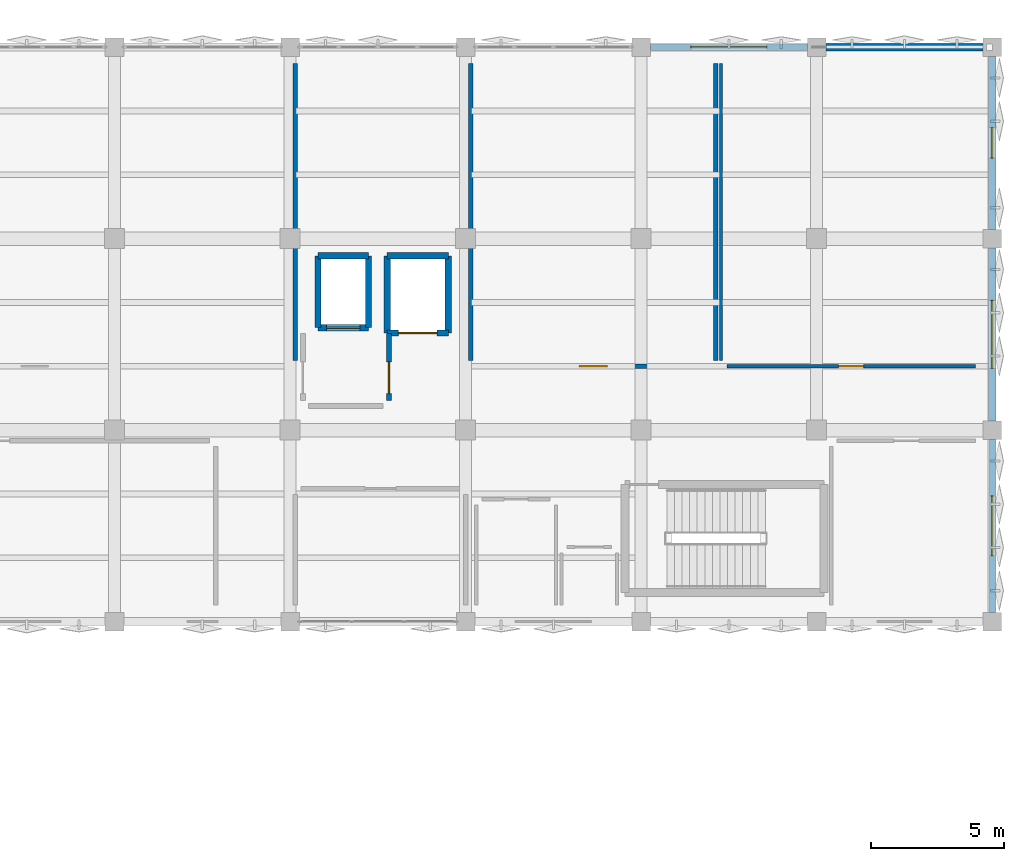
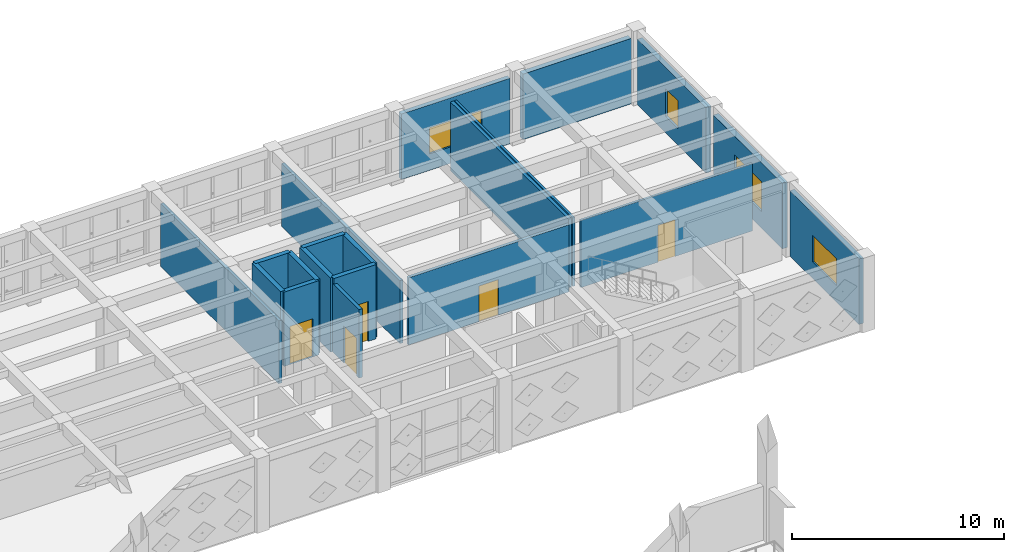
# One storey, part 71 of 80: 20 walls, 5 doors, 4 windows, 9 openings.
"""IFC4 building model written with IfcOpenShell, lengths in metres."""

from ifc_helpers import new_model, si_unit, direction, frame, frame_2d, origin, place, context, subcontext, project, spatial, rectangle, extrude, material, layer, layer_set, type_object, element, fill, save


model = new_model("IFC4")

# Units and contexts
model_context = context("Model", 3, precision=1e-05, world=origin(), true_north=direction((0.0, 1.0)))
body_context = subcontext(model_context, "Body", "Model", "MODEL_VIEW")
ifc_project = project(units=[si_unit("LENGTHUNIT", "METRE"), si_unit("AREAUNIT", "SQUARE_METRE"), si_unit("VOLUMEUNIT", "CUBIC_METRE"), si_unit("PLANEANGLEUNIT", "RADIAN"), si_unit("MASSUNIT", "GRAM", prefix="KILO")], contexts=[model_context])

# Site, building, storey
site_placement = place(None, origin())
site = spatial("IfcSite", under=ifc_project, at=site_placement, CompositionType="ELEMENT")
building_placement = place(site_placement, origin())
building = spatial("IfcBuilding", under=site, at=building_placement, Name="Kharisveld Research Institute", CompositionType="ELEMENT")
storey_placement = place(building_placement, frame((0.0, 0.0, 5.10009765625)))
storey = spatial("IfcBuildingStorey", under=building, at=storey_placement, Name="L01", CompositionType="ELEMENT", Elevation=5.10009765625)

# Walls
ifc_material_1 = material(Name="Concrete C40/50", Category="concrete")
ifc_layer_1 = layer(ifc_material_1, 0.239990234375)
ifc_layer_set_1 = layer_set([ifc_layer_1], Name="WL_CORE_240")
wall_type_1 = type_object("IfcWallType", Name="WL_CORE_240", PredefinedType="SHEAR", material=ifc_layer_set_1)
wall_1_placement = place(storey_placement, frame((135.449951171875, 50.25, 0.0), z_axis=(0.0, 0.0, 1.0), x_axis=(0.0, 1.0, 0.0)))
element("IfcWall", 1, at=wall_1_placement, inside=storey, type_object=wall_type_1, Name="WL:LFT:FFL-02:L01:W", PredefinedType="SHEAR", context=body_context, shape_type="SweptSolid", body=[
    extrude(rectangle(XDim=2.699951171875, YDim=0.239990234375, at=frame_2d((1.35009765625, 0.0))), origin(), (0.0, 0.0, 1.0), 4.27978515625),
])
wall_2_placement = place(storey_placement, frame((135.449951171875, 52.949951171875, 0.0), z_axis=(0.0, 0.0, 1.0), x_axis=(1.0, 0.0, 0.0)))
element("IfcWall", 2, at=wall_2_placement, inside=storey, type_object=wall_type_1, Name="WL:LFT:FFL-02:L01:N", PredefinedType="SHEAR", context=body_context, shape_type="SweptSolid", body=[
    extrude(rectangle(XDim=1.900146484375, YDim=0.239990234375, at=frame_2d((0.9501953125, 0.0))), origin(), (0.0, 0.0, 1.0), 4.27978515625),
])
wall_3_placement = place(storey_placement, frame((137.35009765625, 52.949951171875, 0.0), z_axis=(0.0, 0.0, 1.0), x_axis=(0.0, -1.0, 0.0)))
element("IfcWall", 3, at=wall_3_placement, inside=storey, type_object=wall_type_1, Name="WL:LFT:FFL-02:L01:E", PredefinedType="SHEAR", context=body_context, shape_type="SweptSolid", body=[
    extrude(rectangle(XDim=2.699951171875, YDim=0.239990234375, at=frame_2d((1.35009765625, 0.0))), origin(), (0.0, 0.0, 1.0), 4.27978515625),
])

# Wall, opening, door
wall_4_placement = place(storey_placement, frame((137.35009765625, 50.25, 0.0), z_axis=(0.0, 0.0, 1.0), x_axis=(-1.0, 0.0, 0.0)))
wall_4 = element("IfcWall", 4, at=wall_4_placement, inside=storey, type_object=wall_type_1, Name="WL:LFT:FFL-02:L01:S", PredefinedType="SHEAR", context=body_context, shape_type="SweptSolid", body=[
    extrude(rectangle(XDim=1.900146484375, YDim=0.239990234375, at=frame_2d((0.9501953125, 0.0))), origin(), (0.0, 0.0, 1.0), 4.27978515625),
])
opening_1_placement = place(wall_4_placement, frame((0.324951171875, 0.0, 0.0)))
opening_1 = element("IfcOpeningElement", 5, at=opening_1_placement, cuts=wall_4, Name="Opening LD-02", PredefinedType="OPENING", context=body_context, shape_type="SweptSolid", body=[
    extrude(rectangle(XDim=1.25, YDim=2.199951171875, at=frame_2d((0.625, 1.10009765625))), frame((0.0, 0.1201171875, 0.0), z_axis=(0.0, -1.0, 0.0), x_axis=(1.0, 0.0, 0.0)), (0.0, 0.0, 1.0), 0.239990234375),
])
ifc_material_2 = material(Name="Flush Painted Hardwood and Anodised Aluminium", Category="wood")
door_type_1 = type_object("IfcDoorType", Name="DR_LFT_125", OperationType="SLIDING_TO_RIGHT", PredefinedType="DOOR", material=ifc_material_2)
door_1_placement = place(opening_1_placement, origin())
door_1 = element("IfcDoor", 6, at=door_1_placement, inside=storey, type_object=door_type_1, Name="FFL-02 Lift Landing Door L01", OperationType="SLIDING_TO_RIGHT", OverallHeight=2.199951171875, OverallWidth=1.25, PredefinedType="DOOR", context=body_context, shape_type="SweptSolid", body=[
    extrude(rectangle(XDim=1.25, YDim=2.199951171875, at=frame_2d((0.625, 1.10009765625))), frame((0.0, 0.02490234375, 0.0), z_axis=(0.0, -1.0, 0.0), x_axis=(1.0, 0.0, 0.0)), (0.0, 0.0, 1.0), 0.050048828125),
])
fill(opening_1, door_1)

# Walls
wall_5_placement = place(storey_placement, frame((138.050048828125, 50.050048828125, 0.0), z_axis=(0.0, 0.0, 1.0), x_axis=(0.0, 1.0, 0.0)))
element("IfcWall", 7, at=wall_5_placement, inside=storey, type_object=wall_type_1, Name="WL:LFT:GL-01:L01:W", PredefinedType="SHEAR", context=body_context, shape_type="SweptSolid", body=[
    extrude(rectangle(XDim=2.89990234375, YDim=0.239990234375, at=frame_2d((1.449951171875, 0.0))), origin(), (0.0, 0.0, 1.0), 4.27978515625),
])
wall_6_placement = place(storey_placement, frame((138.050048828125, 52.949951171875, 0.0), z_axis=(0.0, 0.0, 1.0), x_axis=(1.0, 0.0, 0.0)))
element("IfcWall", 8, at=wall_6_placement, inside=storey, type_object=wall_type_1, Name="WL:LFT:GL-01:L01:N", PredefinedType="SHEAR", context=body_context, shape_type="SweptSolid", body=[
    extrude(rectangle(XDim=2.300048828125, YDim=0.239990234375, at=frame_2d((1.14990234375, 0.0))), origin(), (0.0, 0.0, 1.0), 4.27978515625),
])
wall_7_placement = place(storey_placement, frame((140.35009765625, 52.949951171875, 0.0), z_axis=(0.0, 0.0, 1.0), x_axis=(0.0, -1.0, 0.0)))
element("IfcWall", 9, at=wall_7_placement, inside=storey, type_object=wall_type_1, Name="WL:LFT:GL-01:L01:E", PredefinedType="SHEAR", context=body_context, shape_type="SweptSolid", body=[
    extrude(rectangle(XDim=2.89990234375, YDim=0.239990234375, at=frame_2d((1.449951171875, 0.0))), origin(), (0.0, 0.0, 1.0), 4.27978515625),
])

# Wall, opening, door
wall_8_placement = place(storey_placement, frame((140.35009765625, 50.050048828125, 0.0), z_axis=(0.0, 0.0, 1.0), x_axis=(-1.0, 0.0, 0.0)))
wall_8 = element("IfcWall", 10, at=wall_8_placement, inside=storey, type_object=wall_type_1, Name="WL:LFT:GL-01:L01:S", PredefinedType="SHEAR", context=body_context, shape_type="SweptSolid", body=[
    extrude(rectangle(XDim=2.300048828125, YDim=0.239990234375, at=frame_2d((1.14990234375, 0.0))), origin(), (0.0, 0.0, 1.0), 4.27978515625),
])
opening_2_placement = place(wall_8_placement, frame((0.425048828125, 0.0, 0.0)))
opening_2 = element("IfcOpeningElement", 11, at=opening_2_placement, cuts=wall_8, Name="Opening LD-03", PredefinedType="OPENING", context=body_context, shape_type="SweptSolid", body=[
    extrude(rectangle(XDim=1.449951171875, YDim=2.300048828125, at=frame_2d((0.72509765625, 1.14990234375))), frame((0.0, 0.1201171875, 0.0), z_axis=(0.0, -1.0, 0.0), x_axis=(1.0, 0.0, 0.0)), (0.0, 0.0, 1.0), 0.239990234375),
])
ifc_material_3 = material(Name="Flush Painted Hardwood and Anodised Aluminium", Category="wood")
door_type_2 = type_object("IfcDoorType", Name="DR_LFT_145", OperationType="DOUBLE_DOOR_SLIDING", PredefinedType="DOOR", material=ifc_material_3)
door_2_placement = place(opening_2_placement, origin())
door_2 = element("IfcDoor", 12, at=door_2_placement, inside=storey, type_object=door_type_2, Name="GL-01 Lift Landing Door L01", OperationType="DOUBLE_DOOR_SLIDING", OverallHeight=2.300048828125, OverallWidth=1.449951171875, PredefinedType="DOOR", context=body_context, shape_type="SweptSolid", body=[
    extrude(rectangle(XDim=1.449951171875, YDim=2.300048828125, at=frame_2d((0.72509765625, 1.14990234375))), frame((0.0, 0.02490234375, 0.0), z_axis=(0.0, -1.0, 0.0), x_axis=(1.0, 0.0, 0.0)), (0.0, 0.0, 1.0), 0.050048828125),
])
fill(opening_2, door_2)

# Wall, opening, window
ifc_material_4 = material(Name="Lightweight Acoustic Spandrel", Category="mineral")
ifc_layer_2 = layer(ifc_material_4, 0.2451171875)
ifc_layer_set_2 = layer_set([ifc_layer_2], Name="WL_EXT_245")
wall_type_2 = type_object("IfcWallType", Name="WL_EXT_245", PredefinedType="STANDARD", material=ifc_layer_set_2)
wall_9_placement = place(storey_placement, frame((147.945068359375, 60.800048828125, 0.0), z_axis=(0.0, 0.0, 1.0), x_axis=(1.0, 0.0, 0.0)))
wall_9 = element("IfcWall", 13, at=wall_9_placement, inside=storey, type_object=wall_type_2, Name="WL:V2:L01:N5", PredefinedType="STANDARD", context=body_context, shape_type="SweptSolid", body=[
    extrude(rectangle(XDim=5.909912109375, YDim=0.2451171875, at=frame_2d((2.955078125, 0.0))), origin(), (0.0, 0.0, 1.0), 3.77490234375),
])
opening_3_placement = place(wall_9_placement, frame((1.530029296875, 0.0, 0.949951171875)))
opening_3 = element("IfcOpeningElement", 14, at=opening_3_placement, cuts=wall_9, Name="Opening WN-18", PredefinedType="OPENING", context=body_context, shape_type="SweptSolid", body=[
    extrude(rectangle(XDim=2.85009765625, YDim=1.5, at=frame_2d((1.425048828125, 0.75))), frame((0.0, 0.12255859375, 0.0), z_axis=(0.0, -1.0, 0.0), x_axis=(1.0, 0.0, 0.0)), (0.0, 0.0, 1.0), 0.2451171875),
])
ifc_material_5 = material(Name="Low-E Double Glazing", Category="glass")
window_type_1 = type_object("IfcWindowType", Name="WN_18", PartitioningType="TRIPLE_PANEL_VERTICAL", PredefinedType="WINDOW", material=ifc_material_5)
window_1_placement = place(opening_3_placement, origin())
window_1 = element("IfcWindow", 15, at=window_1_placement, inside=storey, type_object=window_type_1, Name="WN:V2:L01:N5", OverallHeight=1.5, OverallWidth=2.85009765625, PartitioningType="SINGLE_PANEL", PredefinedType="WINDOW", context=body_context, shape_type="SweptSolid", body=[
    extrude(rectangle(XDim=2.85009765625, YDim=1.5, at=frame_2d((1.425048828125, 0.75))), frame((0.0, 0.030029296875, 0.0), z_axis=(0.0, -1.0, 0.0), x_axis=(1.0, 0.0, 0.0)), (0.0, 0.0, 1.0), 0.06005859375),
])
fill(opening_3, window_1)

wall_10_placement = place(storey_placement, frame((160.800048828125, 46.054931640625, 0.0), z_axis=(0.0, 0.0, 1.0), x_axis=(0.0, -1.0, 0.0)))
wall_10 = element("IfcWall", 16, at=wall_10_placement, inside=storey, type_object=wall_type_2, Name="WL:V2:L01:E1", PredefinedType="STANDARD", context=body_context, shape_type="SweptSolid", body=[
    extrude(rectangle(XDim=6.510009765625, YDim=0.2451171875, at=frame_2d((3.2548828125, 0.0))), origin(), (0.0, 0.0, 1.0), 3.77490234375),
])
opening_4_placement = place(wall_10_placement, frame((2.1298828125, 0.0, 0.949951171875)))
opening_4 = element("IfcOpeningElement", 17, at=opening_4_placement, cuts=wall_10, Name="Opening WN-14", PredefinedType="OPENING", context=body_context, shape_type="SweptSolid", body=[
    extrude(rectangle(XDim=2.25, YDim=1.550048828125, at=frame_2d((1.125, 0.77490234375))), frame((0.0, 0.12255859375, 0.0), z_axis=(0.0, -1.0, 0.0), x_axis=(1.0, 0.0, 0.0)), (0.0, 0.0, 1.0), 0.2451171875),
])
ifc_material_6 = material(Name="Low-E Double Glazing", Category="glass")
window_type_2 = type_object("IfcWindowType", Name="WN_14", PartitioningType="DOUBLE_PANEL_VERTICAL", PredefinedType="WINDOW", material=ifc_material_6)
window_2_placement = place(opening_4_placement, origin())
window_2 = element("IfcWindow", 18, at=window_2_placement, inside=storey, type_object=window_type_2, Name="WN:V2:L01:E1", OverallHeight=1.550048828125, OverallWidth=2.25, PartitioningType="SINGLE_PANEL", PredefinedType="WINDOW", context=body_context, shape_type="SweptSolid", body=[
    extrude(rectangle(XDim=2.25, YDim=1.550048828125, at=frame_2d((1.125, 0.77490234375))), frame((0.0, 0.030029296875, 0.0), z_axis=(0.0, -1.0, 0.0), x_axis=(1.0, 0.0, 0.0)), (0.0, 0.0, 1.0), 0.06005859375),
])
fill(opening_4, window_2)

ifc_material_7 = material(Name="Precast Concrete C40/50 Thermal Wall", Category="concrete")
ifc_layer_3 = layer(ifc_material_7, 0.27490234375)
ifc_layer_set_3 = layer_set([ifc_layer_3], Name="WL_EXT_275")
wall_type_3 = type_object("IfcWallType", Name="WL_EXT_275", PredefinedType="STANDARD", material=ifc_layer_set_3)
wall_11_placement = place(storey_placement, frame((160.800048828125, 60.455078125, 0.0), z_axis=(0.0, 0.0, 1.0), x_axis=(0.0, -1.0, 0.0)))
wall_11 = element("IfcWall", 19, at=wall_11_placement, inside=storey, type_object=wall_type_3, Name="WL:V2:L01:E3", PredefinedType="STANDARD", context=body_context, shape_type="SweptSolid", body=[
    extrude(rectangle(XDim=6.510009765625, YDim=0.27490234375, at=frame_2d((3.2548828125, 0.0))), origin(), (0.0, 0.0, 1.0), 3.77490234375),
])
opening_5_placement = place(wall_11_placement, frame((2.679931640625, 0.0, 0.949951171875)))
opening_5 = element("IfcOpeningElement", 20, at=opening_5_placement, cuts=wall_11, Name="Opening WN-16", PredefinedType="OPENING", context=body_context, shape_type="SweptSolid", body=[
    extrude(rectangle(XDim=1.14990234375, YDim=1.60009765625, at=frame_2d((0.574951171875, 0.800048828125))), frame((0.0, 0.137451171875, 0.0), z_axis=(0.0, -1.0, 0.0), x_axis=(1.0, 0.0, 0.0)), (0.0, 0.0, 1.0), 0.27490234375),
])
ifc_material_8 = material(Name="Low-E Double Glazing", Category="glass")
window_type_3 = type_object("IfcWindowType", Name="WN_16", PartitioningType="SINGLE_PANEL", PredefinedType="WINDOW", material=ifc_material_8)
window_3_placement = place(opening_5_placement, origin())
window_3 = element("IfcWindow", 21, at=window_3_placement, inside=storey, type_object=window_type_3, Name="WN:V2:L01:E3", OverallHeight=1.60009765625, OverallWidth=1.14990234375, PartitioningType="SINGLE_PANEL", PredefinedType="WINDOW", context=body_context, shape_type="SweptSolid", body=[
    extrude(rectangle(XDim=1.14990234375, YDim=1.60009765625, at=frame_2d((0.574951171875, 0.800048828125))), frame((0.0, 0.030029296875, 0.0), z_axis=(0.0, -1.0, 0.0), x_axis=(1.0, 0.0, 0.0)), (0.0, 0.0, 1.0), 0.06005859375),
])
fill(opening_5, window_3)

# Wall
ifc_material_9 = material(Name="Precast Concrete C40/50 Thermal Wall", Category="concrete")
ifc_layer_4 = layer(ifc_material_9, 0.2900390625)
ifc_layer_set_4 = layer_set([ifc_layer_4], Name="WL_EXT_290")
wall_type_4 = type_object("IfcWallType", Name="WL_EXT_290", PredefinedType="STANDARD", material=ifc_layer_set_4)
wall_12_placement = place(storey_placement, frame((154.544921875, 60.800048828125, 0.0), z_axis=(0.0, 0.0, 1.0), x_axis=(1.0, 0.0, 0.0)))
element("IfcWall", 22, at=wall_12_placement, inside=storey, type_object=wall_type_4, Name="WL:V2:L01:N6", PredefinedType="STANDARD", context=body_context, shape_type="SweptSolid", body=[
    extrude(rectangle(XDim=5.91015625, YDim=0.2900390625, at=frame_2d((2.955078125, 0.0))), origin(), (0.0, 0.0, 1.0), 3.77490234375),
])

# Wall, opening, window
wall_13_placement = place(storey_placement, frame((160.800048828125, 53.2548828125, 0.0), z_axis=(0.0, 0.0, 1.0), x_axis=(0.0, -1.0, 0.0)))
wall_13 = element("IfcWall", 23, at=wall_13_placement, inside=storey, type_object=wall_type_4, Name="WL:V2:L01:E2", PredefinedType="STANDARD", context=body_context, shape_type="SweptSolid", body=[
    extrude(rectangle(XDim=6.509765625, YDim=0.2900390625, at=frame_2d((3.2548828125, 0.0))), origin(), (0.0, 0.0, 1.0), 3.77490234375),
])
opening_6_placement = place(wall_13_placement, frame((1.97998046875, 0.0, 0.949951171875)))
opening_6 = element("IfcOpeningElement", 24, at=opening_6_placement, cuts=wall_13, Name="Opening WN-15", PredefinedType="OPENING", context=body_context, shape_type="SweptSolid", body=[
    extrude(rectangle(XDim=2.550048828125, YDim=1.75, at=frame_2d((1.27490234375, 0.875))), frame((0.0, 0.14501953125, 0.0), z_axis=(0.0, -1.0, 0.0), x_axis=(1.0, 0.0, 0.0)), (0.0, 0.0, 1.0), 0.2900390625),
])
ifc_material_10 = material(Name="Low-E Double Glazing", Category="glass")
window_type_4 = type_object("IfcWindowType", Name="WN_15", PartitioningType="TRIPLE_PANEL_VERTICAL", PredefinedType="WINDOW", material=ifc_material_10)
window_4_placement = place(opening_6_placement, origin())
window_4 = element("IfcWindow", 25, at=window_4_placement, inside=storey, type_object=window_type_4, Name="WN:V2:L01:E2", OverallHeight=1.75, OverallWidth=2.550048828125, PartitioningType="SINGLE_PANEL", PredefinedType="WINDOW", context=body_context, shape_type="SweptSolid", body=[
    extrude(rectangle(XDim=2.550048828125, YDim=1.75, at=frame_2d((1.27490234375, 0.875))), frame((0.0, 0.030029296875, 0.0), z_axis=(0.0, -1.0, 0.0), x_axis=(1.0, 0.0, 0.0)), (0.0, 0.0, 1.0), 0.06005859375),
])
fill(opening_6, window_4)

# Wall
ifc_material_11 = material(Name="Acoustic Drywall Partition", Category="mineral")
ifc_layer_5 = layer(ifc_material_11, 0.1650390625)
ifc_layer_set_5 = layer_set([ifc_layer_5], Name="WL_LAB_165")
wall_type_5 = type_object("IfcWallType", Name="WL_LAB_165", PredefinedType="PARTITIONING", material=ifc_layer_set_5)
wall_14_placement = place(storey_placement, frame((134.60009765625, 49.02001953125, 0.0), z_axis=(0.0, 0.0, 1.0), x_axis=(0.0, 1.0, 0.0)))
element("IfcWall", 26, at=wall_14_placement, inside=storey, type_object=wall_type_5, Name="WL:RM:V2:L01:WLA:E", PredefinedType="PARTITIONING", context=body_context, shape_type="SweptSolid", body=[
    extrude(rectangle(XDim=11.159912109375, YDim=0.1650390625, at=frame_2d((5.580078125, 0.0))), origin(), (0.0, 0.0, 1.0), 3.625),
])

# Wall, opening, door
wall_15_placement = place(storey_placement, frame((141.419921875, 48.800048828125, 0.0), z_axis=(0.0, 0.0, 1.0), x_axis=(1.0, 0.0, 0.0)))
wall_15 = element("IfcWall", 27, at=wall_15_placement, inside=storey, type_object=wall_type_5, Name="WL:RM:V2:L01:WLB:S", PredefinedType="PARTITIONING", context=body_context, shape_type="SweptSolid", body=[
    extrude(rectangle(XDim=8.760009765625, YDim=0.1650390625, at=frame_2d((4.3798828125, 0.0))), origin(), (0.0, 0.0, 1.0), 3.875),
])
opening_7_placement = place(wall_15_placement, frame((3.85009765625, 0.0, 0.0)))
opening_7 = element("IfcOpeningElement", 28, at=opening_7_placement, cuts=wall_15, Name="Opening DI-198", PredefinedType="OPENING", context=body_context, shape_type="SweptSolid", body=[
    extrude(rectangle(XDim=1.06005859375, YDim=2.06005859375, at=frame_2d((0.530029296875, 1.030029296875))), frame((0.0, 0.08251953125, 0.0), z_axis=(0.0, -1.0, 0.0), x_axis=(1.0, 0.0, 0.0)), (0.0, 0.0, 1.0), 0.1650390625),
])
ifc_material_12 = material(Name="Flush Painted Hardwood and Anodised Aluminium", Category="wood")
door_type_3 = type_object("IfcDoorType", Name="DR_VAR_06", OperationType="NOTDEFINED", PredefinedType="DOOR", material=ifc_material_12)
door_3_placement = place(opening_7_placement, origin())
door_3 = element("IfcDoor", 29, at=door_3_placement, inside=storey, type_object=door_type_3, Name="DR:RM:V2:L01:WLB:S", OperationType="SINGLE_SWING_RIGHT", OverallHeight=2.06005859375, OverallWidth=1.06005859375, PredefinedType="DOOR", context=body_context, shape_type="SweptSolid", body=[
    extrude(rectangle(XDim=1.06005859375, YDim=2.06005859375, at=frame_2d((0.530029296875, 1.030029296875))), frame((0.0, 0.02490234375, 0.0), z_axis=(0.0, -1.0, 0.0), x_axis=(1.0, 0.0, 0.0)), (0.0, 0.0, 1.0), 0.050048828125),
])
fill(opening_7, door_3)

# Walls
wall_16_placement = place(storey_placement, frame((150.39990234375, 49.02001953125, 0.0), z_axis=(0.0, 0.0, 1.0), x_axis=(0.0, 1.0, 0.0)))
element("IfcWall", 30, at=wall_16_placement, inside=storey, type_object=wall_type_5, Name="WL:RM:V2:L01:WLB:E", PredefinedType="PARTITIONING", context=body_context, shape_type="SweptSolid", body=[
    extrude(rectangle(XDim=11.159912109375, YDim=0.1650390625, at=frame_2d((5.580078125, 0.0))), origin(), (0.0, 0.0, 1.0), 3.949951171875),
])
wall_17_placement = place(storey_placement, frame((141.199951171875, 60.179931640625, 0.0), z_axis=(0.0, 0.0, 1.0), x_axis=(0.0, -1.0, 0.0)))
element("IfcWall", 31, at=wall_17_placement, inside=storey, type_object=wall_type_5, Name="WL:RM:V2:L01:WLB:W", PredefinedType="PARTITIONING", context=body_context, shape_type="SweptSolid", body=[
    extrude(rectangle(XDim=11.159912109375, YDim=0.1650390625, at=frame_2d((5.580078125, 0.0))), origin(), (0.0, 0.0, 1.0), 3.625),
])

# Wall, opening, door
ifc_material_13 = material(Name="Masonry Blockwork", Category="masonry")
ifc_layer_6 = layer(ifc_material_13, 0.18505859375)
ifc_layer_set_6 = layer_set([ifc_layer_6], Name="WL_LOB_185")
wall_type_6 = type_object("IfcWallType", Name="WL_LOB_185", PredefinedType="SOLIDWALL", material=ifc_layer_set_6)
wall_18_placement = place(storey_placement, frame((138.1201171875, 47.52001953125, 0.0), z_axis=(0.0, 0.0, 1.0), x_axis=(0.0, 1.0, 0.0)))
wall_18 = element("IfcWall", 32, at=wall_18_placement, inside=storey, type_object=wall_type_6, Name="WL:RM:V2:L01:FFL:E", PredefinedType="SOLIDWALL", context=body_context, shape_type="SweptSolid", body=[
    extrude(rectangle(XDim=2.510009765625, YDim=0.18505859375, at=frame_2d((1.2548828125, 0.0))), origin(), (0.0, 0.0, 1.0), 3.949951171875),
])
opening_8_placement = place(wall_18_placement, frame((0.25, 0.0, 0.0)))
opening_8 = element("IfcOpeningElement", 33, at=opening_8_placement, cuts=wall_18, Name="Opening DI-193", PredefinedType="OPENING", context=body_context, shape_type="SweptSolid", body=[
    extrude(rectangle(XDim=1.199951171875, YDim=2.14990234375, at=frame_2d((0.60009765625, 1.074951171875))), frame((0.0, 0.092529296875, 0.0), z_axis=(0.0, -1.0, 0.0), x_axis=(1.0, 0.0, 0.0)), (0.0, 0.0, 1.0), 0.18505859375),
])
ifc_material_14 = material(Name="Flush Painted Hardwood and Anodised Aluminium", Category="wood")
door_type_4 = type_object("IfcDoorType", Name="DR_FD120_120", OperationType="NOTDEFINED", PredefinedType="DOOR", material=ifc_material_14)
door_4_placement = place(opening_8_placement, origin())
door_4 = element("IfcDoor", 34, at=door_4_placement, inside=storey, type_object=door_type_4, Name="DR:RM:V2:L01:FFL:E", OperationType="SINGLE_SWING_LEFT", OverallHeight=2.14990234375, OverallWidth=1.199951171875, PredefinedType="DOOR", context=body_context, shape_type="SweptSolid", body=[
    extrude(rectangle(XDim=1.199951171875, YDim=2.14990234375, at=frame_2d((0.60009765625, 1.074951171875))), frame((0.0, 0.02490234375, 0.0), z_axis=(0.0, -1.0, 0.0), x_axis=(1.0, 0.0, 0.0)), (0.0, 0.0, 1.0), 0.050048828125),
])
fill(opening_8, door_4)

ifc_material_15 = material(Name="Insulated Stud Partition", Category="mineral")
ifc_layer_7 = layer(ifc_material_15, 0.125)
ifc_layer_set_7 = layer_set([ifc_layer_7], Name="WL_OFF_125")
wall_type_7 = type_object("IfcWallType", Name="WL_OFF_125", PredefinedType="PARTITIONING", material=ifc_layer_set_7)
wall_19_placement = place(storey_placement, frame((150.820068359375, 48.800048828125, 0.0), z_axis=(0.0, 0.0, 1.0), x_axis=(1.0, 0.0, 0.0)))
wall_19 = element("IfcWall", 35, at=wall_19_placement, inside=storey, type_object=wall_type_7, Name="WL:RM:V2:L01:WLD:S", PredefinedType="PARTITIONING", context=body_context, shape_type="SweptSolid", body=[
    extrude(rectangle(XDim=9.35986328125, YDim=0.125, at=frame_2d((4.679931640625, 0.0))), origin(), (0.0, 0.0, 1.0), 3.875),
])
opening_9_placement = place(wall_19_placement, frame((4.2099609375, 0.0, 0.0)))
opening_9 = element("IfcOpeningElement", 36, at=opening_9_placement, cuts=wall_19, Name="Opening DI-199", PredefinedType="OPENING", context=body_context, shape_type="SweptSolid", body=[
    extrude(rectangle(XDim=0.93994140625, YDim=2.1201171875, at=frame_2d((0.469970703125, 1.06005859375))), frame((0.0, 0.0625, 0.0), z_axis=(0.0, -1.0, 0.0), x_axis=(1.0, 0.0, 0.0)), (0.0, 0.0, 1.0), 0.125),
])
ifc_material_16 = material(Name="Flush Painted Hardwood and Anodised Aluminium", Category="wood")
door_type_5 = type_object("IfcDoorType", Name="DR_OFF_094", OperationType="NOTDEFINED", PredefinedType="DOOR", material=ifc_material_16)
door_5_placement = place(opening_9_placement, origin())
door_5 = element("IfcDoor", 37, at=door_5_placement, inside=storey, type_object=door_type_5, Name="DR:RM:V2:L01:WLD:S", OperationType="SINGLE_SWING_LEFT", OverallHeight=2.1201171875, OverallWidth=0.93994140625, PredefinedType="DOOR", context=body_context, shape_type="SweptSolid", body=[
    extrude(rectangle(XDim=0.93994140625, YDim=2.1201171875, at=frame_2d((0.469970703125, 1.06005859375))), frame((0.0, 0.02490234375, 0.0), z_axis=(0.0, -1.0, 0.0), x_axis=(1.0, 0.0, 0.0)), (0.0, 0.0, 1.0), 0.050048828125),
])
fill(opening_9, door_5)

# Wall
wall_20_placement = place(storey_placement, frame((150.60009765625, 60.179931640625, 0.0), z_axis=(0.0, 0.0, 1.0), x_axis=(0.0, -1.0, 0.0)))
element("IfcWall", 38, at=wall_20_placement, inside=storey, type_object=wall_type_7, Name="WL:RM:V2:L01:WLD:W", PredefinedType="PARTITIONING", context=body_context, shape_type="SweptSolid", body=[
    extrude(rectangle(XDim=11.159912109375, YDim=0.125, at=frame_2d((5.580078125, 0.0))), origin(), (0.0, 0.0, 1.0), 3.949951171875),
])

save(model, "model.ifc")
